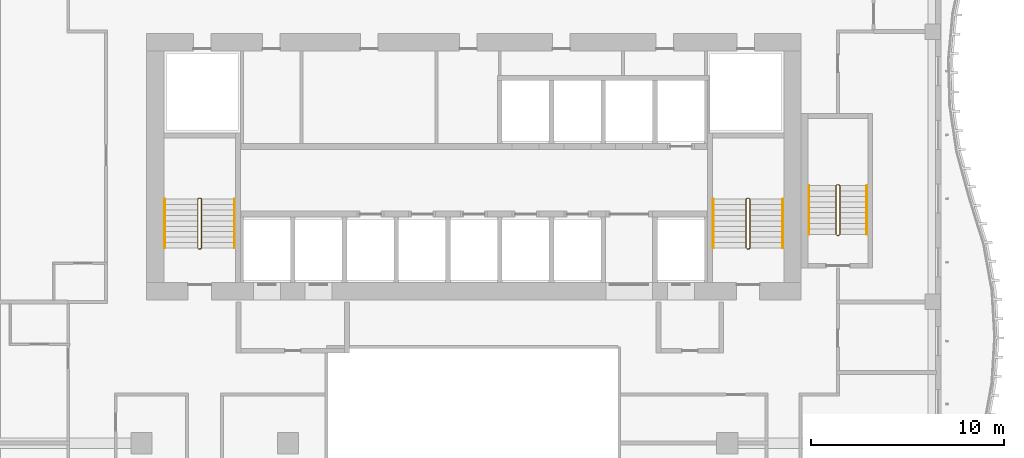
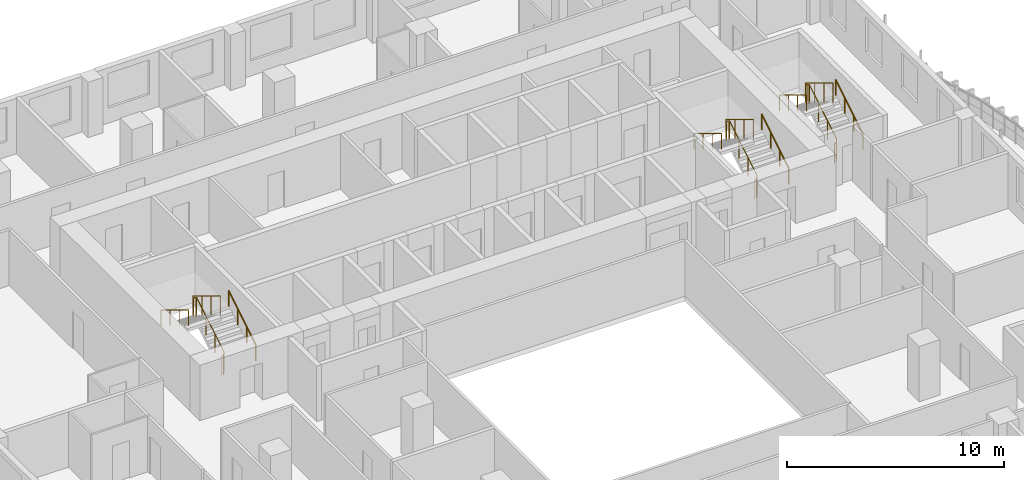
# One storey, part 21 of 22: 9 railings.
"""IFC4 building model written with IfcOpenShell, lengths in metres."""

from ifc_helpers import new_model, si_unit, direction, frame, origin, origin_2d, place, context, subcontext, project, spatial, circle, extrude, material, type_object, element, save


model = new_model("IFC4")

# Units and contexts
model_context = context("Model", 3, precision=1e-05, world=origin(), true_north=direction((0.0, 1.0)))
body_context = subcontext(model_context, "Body", "Model", "MODEL_VIEW")
ifc_project = project(units=[si_unit("LENGTHUNIT", "METRE"), si_unit("AREAUNIT", "SQUARE_METRE"), si_unit("VOLUMEUNIT", "CUBIC_METRE"), si_unit("PLANEANGLEUNIT", "RADIAN"), si_unit("MASSUNIT", "GRAM", prefix="KILO")], contexts=[model_context])

# Site, building, storey
site_placement = place(None, origin())
site = spatial("IfcSite", under=ifc_project, at=site_placement, CompositionType="ELEMENT")
building_placement = place(site_placement, origin())
building = spatial("IfcBuilding", under=site, at=building_placement, Name="Kilnfold Tower and Market Hall", CompositionType="ELEMENT")
storey_placement = place(building_placement, frame((0.0, 0.0, 154.10009765625)))
storey = spatial("IfcBuildingStorey", under=building, at=storey_placement, Name="L35", CompositionType="ELEMENT", Elevation=154.10009765625)

# Railings
ifc_material_1 = material(Name="Stainless steel 316", Category="steel")
railing_type_1 = type_object("IfcRailingType", Name="CORE STAIR GUARD 1100", PredefinedType="GUARDRAIL", material=ifc_material_1)
railing_1_placement = place(storey_placement, frame((-13.199951171875, 10.75, 0.0)))
element("IfcRailing", 1, at=railing_1_placement, inside=storey, type_object=railing_type_1, Name="L35 ST1 stair guard 1", PredefinedType="GUARDRAIL", context=body_context, shape_type="SweptSolid", body=[
    extrude(circle(Radius=0.02392578125, at=origin_2d()), frame((0.0, 0.0, 1.076171875), z_axis=(1.0, 0.0, 0.0), x_axis=(0.0, 1.0, 0.0)), (0.0, 0.0, 1.0), 0.099853515625),
    extrude(circle(Radius=0.02392578125, at=origin_2d()), frame((0.099853515625, 0.0, 1.076171875), z_axis=(0.271895245746, 0.271895245746, 0.923117517265), x_axis=(-0.707106781187, 0.707106781187, 0.0)), (0.0, 0.0, 1.0), 0.18408203125),
    extrude(circle(Radius=0.02392578125, at=origin_2d()), frame((0.14990234375, 0.050048828125, 1.24609375), z_axis=(0.0, 0.85478489116, 0.518982456201), x_axis=(-1.0, 0.0, 0.0)), (0.0, 0.0, 1.0), 2.9482421875),
    extrude(circle(Radius=0.02392578125, at=origin_2d()), frame((0.14990234375, 2.570068359375, 2.77587890625), z_axis=(-0.707106781187, 0.707106781187, 0.0), x_axis=(-0.707106781187, -0.707106781187, 0.0)), (0.0, 0.0, 1.0), 0.07080078125),
    extrude(circle(Radius=0.02392578125, at=origin_2d()), frame((0.099853515625, 2.6201171875, 2.77587890625), z_axis=(-1.0, 0.0, 0.0), x_axis=(0.0, -1.0, 0.0)), (0.0, 0.0, 1.0), 0.099853515625),
    extrude(circle(Radius=0.02392578125, at=origin_2d()), frame((0.0, 2.6201171875, 2.77587890625), z_axis=(-0.271895245746, -0.271895245746, 0.923117517265), x_axis=(0.707106781187, -0.707106781187, 0.0)), (0.0, 0.0, 1.0), 0.18408203125),
    extrude(circle(Radius=0.02392578125, at=origin_2d()), frame((-0.050048828125, 2.570068359375, 2.94580078125), z_axis=(0.0, -0.85478489116, 0.518982456201), x_axis=(1.0, 0.0, 0.0)), (0.0, 0.0, 1.0), 2.9482421875),
    extrude(circle(Radius=0.02099609375, at=origin_2d()), origin(), (0.0, 0.0, 1.0), 1.052001953125),
    extrude(circle(Radius=0.02099609375, at=origin_2d()), frame((0.099853515625, 0.0, 0.0)), (0.0, 0.0, 1.0), 1.052001953125),
    extrude(circle(Radius=0.02099609375, at=origin_2d()), frame((0.14990234375, 0.050048828125, 0.169921875)), (0.0, 0.0, 1.0), 1.052001953125),
    extrude(circle(Radius=0.02099609375, at=origin_2d()), frame((0.14990234375, 0.89013671875, 0.679931640625)), (0.0, 0.0, 1.0), 1.052001953125),
    extrude(circle(Radius=0.02099609375, at=origin_2d()), frame((0.14990234375, 1.72998046875, 1.18994140625)), (0.0, 0.0, 1.0), 1.052001953125),
    extrude(circle(Radius=0.02099609375, at=origin_2d()), frame((0.14990234375, 2.570068359375, 1.699951171875)), (0.0, 0.0, 1.0), 1.052001953125),
    extrude(circle(Radius=0.02099609375, at=origin_2d()), frame((0.099853515625, 2.6201171875, 1.699951171875)), (0.0, 0.0, 1.0), 1.052001953125),
    extrude(circle(Radius=0.02099609375, at=origin_2d()), frame((0.0, 2.6201171875, 1.699951171875)), (0.0, 0.0, 1.0), 1.052001953125),
    extrude(circle(Radius=0.02099609375, at=origin_2d()), frame((-0.050048828125, 2.570068359375, 1.869873046875)), (0.0, 0.0, 1.0), 1.052001953125),
    extrude(circle(Radius=0.02099609375, at=origin_2d()), frame((-0.050048828125, 1.72998046875, 2.3798828125)), (0.0, 0.0, 1.0), 1.052001953125),
    extrude(circle(Radius=0.02099609375, at=origin_2d()), frame((-0.050048828125, 0.89013671875, 2.889892578125)), (0.0, 0.0, 1.0), 1.052001953125),
    extrude(circle(Radius=0.02099609375, at=origin_2d()), frame((-0.050048828125, 0.050048828125, 3.39990234375)), (0.0, 0.0, 1.0), 1.052001953125),
])
railing_2_placement = place(storey_placement, frame((15.199951171875, 10.75, 0.0)))
element("IfcRailing", 2, at=railing_2_placement, inside=storey, type_object=railing_type_1, Name="L35 ST2 stair guard 1", PredefinedType="GUARDRAIL", context=body_context, shape_type="SweptSolid", body=[
    extrude(circle(Radius=0.02392578125, at=origin_2d()), frame((0.0, 0.0, 1.076171875), z_axis=(1.0, 0.0, 0.0), x_axis=(0.0, 1.0, 0.0)), (0.0, 0.0, 1.0), 0.10009765625),
    extrude(circle(Radius=0.02392578125, at=origin_2d()), frame((0.10009765625, 0.0, 1.076171875), z_axis=(0.271895245746, 0.271895245746, 0.923117517265), x_axis=(-0.707106781187, 0.707106781187, 0.0)), (0.0, 0.0, 1.0), 0.18408203125),
    extrude(circle(Radius=0.02392578125, at=origin_2d()), frame((0.150146484375, 0.050048828125, 1.24609375), z_axis=(0.0, 0.85478489116, 0.518982456201), x_axis=(-1.0, 0.0, 0.0)), (0.0, 0.0, 1.0), 2.9482421875),
    extrude(circle(Radius=0.02392578125, at=origin_2d()), frame((0.150146484375, 2.570068359375, 2.77587890625), z_axis=(-0.707106781187, 0.707106781187, 0.0), x_axis=(-0.707106781187, -0.707106781187, 0.0)), (0.0, 0.0, 1.0), 0.07080078125),
    extrude(circle(Radius=0.02392578125, at=origin_2d()), frame((0.10009765625, 2.6201171875, 2.77587890625), z_axis=(-1.0, 0.0, 0.0), x_axis=(0.0, -1.0, 0.0)), (0.0, 0.0, 1.0), 0.10009765625),
    extrude(circle(Radius=0.02392578125, at=origin_2d()), frame((0.0, 2.6201171875, 2.77587890625), z_axis=(-0.271895245746, -0.271895245746, 0.923117517265), x_axis=(0.707106781187, -0.707106781187, 0.0)), (0.0, 0.0, 1.0), 0.18408203125),
    extrude(circle(Radius=0.02392578125, at=origin_2d()), frame((-0.050048828125, 2.570068359375, 2.94580078125), z_axis=(0.0, -0.85478489116, 0.518982456201), x_axis=(1.0, 0.0, 0.0)), (0.0, 0.0, 1.0), 2.9482421875),
    extrude(circle(Radius=0.02099609375, at=origin_2d()), origin(), (0.0, 0.0, 1.0), 1.052001953125),
    extrude(circle(Radius=0.02099609375, at=origin_2d()), frame((0.10009765625, 0.0, 0.0)), (0.0, 0.0, 1.0), 1.052001953125),
    extrude(circle(Radius=0.02099609375, at=origin_2d()), frame((0.150146484375, 0.050048828125, 0.169921875)), (0.0, 0.0, 1.0), 1.052001953125),
    extrude(circle(Radius=0.02099609375, at=origin_2d()), frame((0.150146484375, 0.89013671875, 0.679931640625)), (0.0, 0.0, 1.0), 1.052001953125),
    extrude(circle(Radius=0.02099609375, at=origin_2d()), frame((0.150146484375, 1.72998046875, 1.18994140625)), (0.0, 0.0, 1.0), 1.052001953125),
    extrude(circle(Radius=0.02099609375, at=origin_2d()), frame((0.150146484375, 2.570068359375, 1.699951171875)), (0.0, 0.0, 1.0), 1.052001953125),
    extrude(circle(Radius=0.02099609375, at=origin_2d()), frame((0.10009765625, 2.6201171875, 1.699951171875)), (0.0, 0.0, 1.0), 1.052001953125),
    extrude(circle(Radius=0.02099609375, at=origin_2d()), frame((0.0, 2.6201171875, 1.699951171875)), (0.0, 0.0, 1.0), 1.052001953125),
    extrude(circle(Radius=0.02099609375, at=origin_2d()), frame((-0.050048828125, 2.570068359375, 1.869873046875)), (0.0, 0.0, 1.0), 1.052001953125),
    extrude(circle(Radius=0.02099609375, at=origin_2d()), frame((-0.050048828125, 1.72998046875, 2.3798828125)), (0.0, 0.0, 1.0), 1.052001953125),
    extrude(circle(Radius=0.02099609375, at=origin_2d()), frame((-0.050048828125, 0.89013671875, 2.889892578125)), (0.0, 0.0, 1.0), 1.052001953125),
    extrude(circle(Radius=0.02099609375, at=origin_2d()), frame((-0.050048828125, 0.050048828125, 3.39990234375)), (0.0, 0.0, 1.0), 1.052001953125),
])
railing_3_placement = place(storey_placement, frame((19.85009765625, 11.449951171875, 0.0)))
element("IfcRailing", 3, at=railing_3_placement, inside=storey, type_object=railing_type_1, Name="L35 ST5 stair guard 1", PredefinedType="GUARDRAIL", context=body_context, shape_type="SweptSolid", body=[
    extrude(circle(Radius=0.02392578125, at=origin_2d()), frame((0.0, 0.0, 1.076171875), z_axis=(1.0, 0.0, 0.0), x_axis=(0.0, 1.0, 0.0)), (0.0, 0.0, 1.0), 0.099853515625),
    extrude(circle(Radius=0.02392578125, at=origin_2d()), frame((0.099853515625, 0.0, 1.076171875), z_axis=(0.271895245746, 0.271895245746, 0.923117517265), x_axis=(-0.707106781187, 0.707106781187, 0.0)), (0.0, 0.0, 1.0), 0.18408203125),
    extrude(circle(Radius=0.02392578125, at=origin_2d()), frame((0.14990234375, 0.050048828125, 1.24609375), z_axis=(0.0, 0.85478489116, 0.518982456201), x_axis=(-1.0, 0.0, 0.0)), (0.0, 0.0, 1.0), 2.9482421875),
    extrude(circle(Radius=0.02392578125, at=origin_2d()), frame((0.14990234375, 2.570068359375, 2.77587890625), z_axis=(-0.707106781187, 0.707106781187, 0.0), x_axis=(-0.707106781187, -0.707106781187, 0.0)), (0.0, 0.0, 1.0), 0.07080078125),
    extrude(circle(Radius=0.02392578125, at=origin_2d()), frame((0.099853515625, 2.6201171875, 2.77587890625), z_axis=(-1.0, 0.0, 0.0), x_axis=(0.0, -1.0, 0.0)), (0.0, 0.0, 1.0), 0.099853515625),
    extrude(circle(Radius=0.02392578125, at=origin_2d()), frame((0.0, 2.6201171875, 2.77587890625), z_axis=(-0.271895245746, -0.271895245746, 0.923117517265), x_axis=(0.707106781187, -0.707106781187, 0.0)), (0.0, 0.0, 1.0), 0.18408203125),
    extrude(circle(Radius=0.02392578125, at=origin_2d()), frame((-0.050048828125, 2.570068359375, 2.94580078125), z_axis=(0.0, -0.85478489116, 0.518982456201), x_axis=(1.0, 0.0, 0.0)), (0.0, 0.0, 1.0), 2.9482421875),
    extrude(circle(Radius=0.02099609375, at=origin_2d()), origin(), (0.0, 0.0, 1.0), 1.052001953125),
    extrude(circle(Radius=0.02099609375, at=origin_2d()), frame((0.099853515625, 0.0, 0.0)), (0.0, 0.0, 1.0), 1.052001953125),
    extrude(circle(Radius=0.02099609375, at=origin_2d()), frame((0.14990234375, 0.050048828125, 0.169921875)), (0.0, 0.0, 1.0), 1.052001953125),
    extrude(circle(Radius=0.02099609375, at=origin_2d()), frame((0.14990234375, 0.89013671875, 0.679931640625)), (0.0, 0.0, 1.0), 1.052001953125),
    extrude(circle(Radius=0.02099609375, at=origin_2d()), frame((0.14990234375, 1.72998046875, 1.18994140625)), (0.0, 0.0, 1.0), 1.052001953125),
    extrude(circle(Radius=0.02099609375, at=origin_2d()), frame((0.14990234375, 2.570068359375, 1.699951171875)), (0.0, 0.0, 1.0), 1.052001953125),
    extrude(circle(Radius=0.02099609375, at=origin_2d()), frame((0.099853515625, 2.6201171875, 1.699951171875)), (0.0, 0.0, 1.0), 1.052001953125),
    extrude(circle(Radius=0.02099609375, at=origin_2d()), frame((0.0, 2.6201171875, 1.699951171875)), (0.0, 0.0, 1.0), 1.052001953125),
    extrude(circle(Radius=0.02099609375, at=origin_2d()), frame((-0.050048828125, 2.570068359375, 1.869873046875)), (0.0, 0.0, 1.0), 1.052001953125),
    extrude(circle(Radius=0.02099609375, at=origin_2d()), frame((-0.050048828125, 1.72998046875, 2.3798828125)), (0.0, 0.0, 1.0), 1.052001953125),
    extrude(circle(Radius=0.02099609375, at=origin_2d()), frame((-0.050048828125, 0.89013671875, 2.889892578125)), (0.0, 0.0, 1.0), 1.052001953125),
    extrude(circle(Radius=0.02099609375, at=origin_2d()), frame((-0.050048828125, 0.050048828125, 3.39990234375)), (0.0, 0.0, 1.0), 1.052001953125),
])
ifc_material_2 = material(Name="Stainless steel 316", Category="steel")
railing_type_2 = type_object("IfcRailingType", Name="CORE STAIR HANDRAIL 900", PredefinedType="HANDRAIL", material=ifc_material_2)
railing_4_placement = place(storey_placement, frame((-11.35009765625, 10.800048828125, 0.169921875)))
element("IfcRailing", 4, at=railing_4_placement, inside=storey, type_object=railing_type_2, Name="L35 ST1 stair handrail 1", PredefinedType="HANDRAIL", context=body_context, shape_type="SweptSolid", body=[
    extrude(circle(Radius=0.02392578125, at=origin_2d()), frame((0.0, 0.0, 0.8759765625), z_axis=(0.0, 0.85478489116, 0.518982456201), x_axis=(-1.0, 0.0, 0.0)), (0.0, 0.0, 1.0), 2.9482421875),
    extrude(circle(Radius=0.02099609375, at=origin_2d()), origin(), (0.0, 0.0, 1.0), 0.851806640625),
    extrude(circle(Radius=0.02099609375, at=origin_2d()), frame((0.0, 0.840087890625, 0.510009765625)), (0.0, 0.0, 1.0), 0.851806640625),
    extrude(circle(Radius=0.02099609375, at=origin_2d()), frame((0.0, 1.679931640625, 1.02001953125)), (0.0, 0.0, 1.0), 0.851806640625),
    extrude(circle(Radius=0.02099609375, at=origin_2d()), frame((0.0, 2.52001953125, 1.530029296875)), (0.0, 0.0, 1.0), 0.851806640625),
])
railing_5_placement = place(storey_placement, frame((-14.949951171875, 13.320068359375, 1.869873046875)))
element("IfcRailing", 5, at=railing_5_placement, inside=storey, type_object=railing_type_2, Name="L35 ST1 stair handrail 2", PredefinedType="HANDRAIL", context=body_context, shape_type="SweptSolid", body=[
    extrude(circle(Radius=0.02392578125, at=origin_2d()), frame((0.0, 0.0, 0.8759765625), z_axis=(0.0, -0.85478489116, 0.518982456201), x_axis=(1.0, 0.0, 0.0)), (0.0, 0.0, 1.0), 2.9482421875),
    extrude(circle(Radius=0.02099609375, at=origin_2d()), origin(), (0.0, 0.0, 1.0), 0.851806640625),
    extrude(circle(Radius=0.02099609375, at=origin_2d()), frame((0.0, -0.840087890625, 0.510009765625)), (0.0, 0.0, 1.0), 0.851806640625),
    extrude(circle(Radius=0.02099609375, at=origin_2d()), frame((0.0, -1.679931640625, 1.02001953125)), (0.0, 0.0, 1.0), 0.851806640625),
    extrude(circle(Radius=0.02099609375, at=origin_2d()), frame((0.0, -2.52001953125, 1.530029296875)), (0.0, 0.0, 1.0), 0.851806640625),
])
railing_6_placement = place(storey_placement, frame((17.050048828125, 10.800048828125, 0.169921875)))
element("IfcRailing", 6, at=railing_6_placement, inside=storey, type_object=railing_type_2, Name="L35 ST2 stair handrail 1", PredefinedType="HANDRAIL", context=body_context, shape_type="SweptSolid", body=[
    extrude(circle(Radius=0.02392578125, at=origin_2d()), frame((0.0, 0.0, 0.8759765625), z_axis=(0.0, 0.85478489116, 0.518982456201), x_axis=(-1.0, 0.0, 0.0)), (0.0, 0.0, 1.0), 2.9482421875),
    extrude(circle(Radius=0.02099609375, at=origin_2d()), origin(), (0.0, 0.0, 1.0), 0.851806640625),
    extrude(circle(Radius=0.02099609375, at=origin_2d()), frame((0.0, 0.840087890625, 0.510009765625)), (0.0, 0.0, 1.0), 0.851806640625),
    extrude(circle(Radius=0.02099609375, at=origin_2d()), frame((0.0, 1.679931640625, 1.02001953125)), (0.0, 0.0, 1.0), 0.851806640625),
    extrude(circle(Radius=0.02099609375, at=origin_2d()), frame((0.0, 2.52001953125, 1.530029296875)), (0.0, 0.0, 1.0), 0.851806640625),
])
railing_7_placement = place(storey_placement, frame((13.449951171875, 13.320068359375, 1.869873046875)))
element("IfcRailing", 7, at=railing_7_placement, inside=storey, type_object=railing_type_2, Name="L35 ST2 stair handrail 2", PredefinedType="HANDRAIL", context=body_context, shape_type="SweptSolid", body=[
    extrude(circle(Radius=0.02392578125, at=origin_2d()), frame((0.0, 0.0, 0.8759765625), z_axis=(0.0, -0.85478489116, 0.518982456201), x_axis=(1.0, 0.0, 0.0)), (0.0, 0.0, 1.0), 2.9482421875),
    extrude(circle(Radius=0.02099609375, at=origin_2d()), origin(), (0.0, 0.0, 1.0), 0.851806640625),
    extrude(circle(Radius=0.02099609375, at=origin_2d()), frame((0.0, -0.840087890625, 0.510009765625)), (0.0, 0.0, 1.0), 0.851806640625),
    extrude(circle(Radius=0.02099609375, at=origin_2d()), frame((0.0, -1.679931640625, 1.02001953125)), (0.0, 0.0, 1.0), 0.851806640625),
    extrude(circle(Radius=0.02099609375, at=origin_2d()), frame((0.0, -2.52001953125, 1.530029296875)), (0.0, 0.0, 1.0), 0.851806640625),
])
railing_8_placement = place(storey_placement, frame((21.39990234375, 11.5, 0.169921875)))
element("IfcRailing", 8, at=railing_8_placement, inside=storey, type_object=railing_type_2, Name="L35 ST5 stair handrail 1", PredefinedType="HANDRAIL", context=body_context, shape_type="SweptSolid", body=[
    extrude(circle(Radius=0.02392578125, at=origin_2d()), frame((0.0, 0.0, 0.8759765625), z_axis=(0.0, 0.85478489116, 0.518982456201), x_axis=(-1.0, 0.0, 0.0)), (0.0, 0.0, 1.0), 2.9482421875),
    extrude(circle(Radius=0.02099609375, at=origin_2d()), origin(), (0.0, 0.0, 1.0), 0.851806640625),
    extrude(circle(Radius=0.02099609375, at=origin_2d()), frame((0.0, 0.840087890625, 0.510009765625)), (0.0, 0.0, 1.0), 0.851806640625),
    extrude(circle(Radius=0.02099609375, at=origin_2d()), frame((0.0, 1.679931640625, 1.02001953125)), (0.0, 0.0, 1.0), 0.851806640625),
    extrude(circle(Radius=0.02099609375, at=origin_2d()), frame((0.0, 2.52001953125, 1.530029296875)), (0.0, 0.0, 1.0), 0.851806640625),
])
railing_9_placement = place(storey_placement, frame((18.39990234375, 14.02001953125, 1.869873046875)))
element("IfcRailing", 9, at=railing_9_placement, inside=storey, type_object=railing_type_2, Name="L35 ST5 stair handrail 2", PredefinedType="HANDRAIL", context=body_context, shape_type="SweptSolid", body=[
    extrude(circle(Radius=0.02392578125, at=origin_2d()), frame((0.0, 0.0, 0.8759765625), z_axis=(0.0, -0.85478489116, 0.518982456201), x_axis=(1.0, 0.0, 0.0)), (0.0, 0.0, 1.0), 2.9482421875),
    extrude(circle(Radius=0.02099609375, at=origin_2d()), origin(), (0.0, 0.0, 1.0), 0.851806640625),
    extrude(circle(Radius=0.02099609375, at=origin_2d()), frame((0.0, -0.840087890625, 0.510009765625)), (0.0, 0.0, 1.0), 0.851806640625),
    extrude(circle(Radius=0.02099609375, at=origin_2d()), frame((0.0, -1.679931640625, 1.02001953125)), (0.0, 0.0, 1.0), 0.851806640625),
    extrude(circle(Radius=0.02099609375, at=origin_2d()), frame((0.0, -2.52001953125, 1.530029296875)), (0.0, 0.0, 1.0), 0.851806640625),
])

save(model, "model.ifc")
